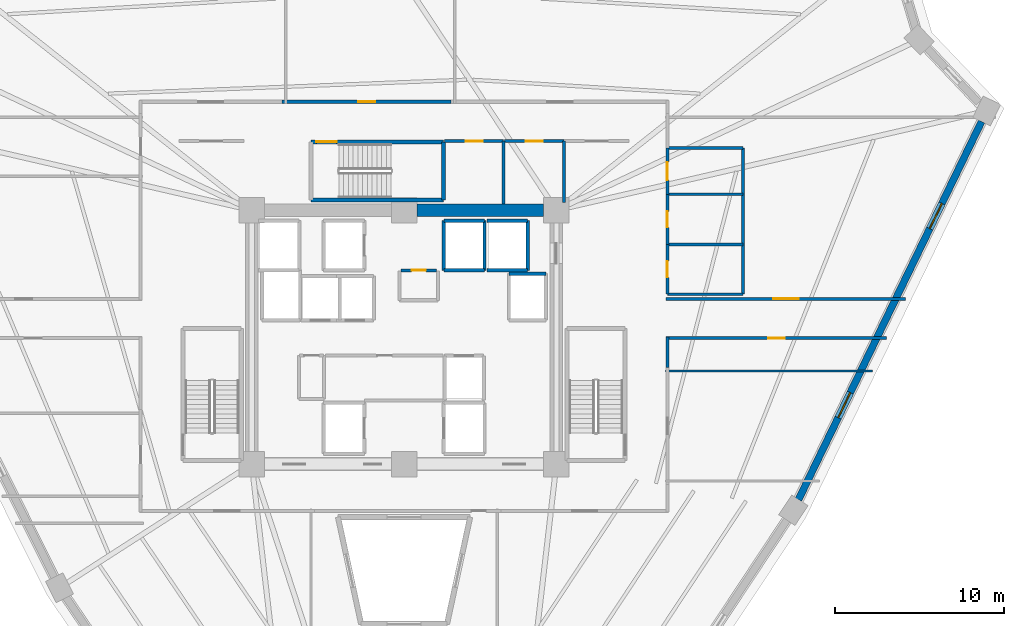
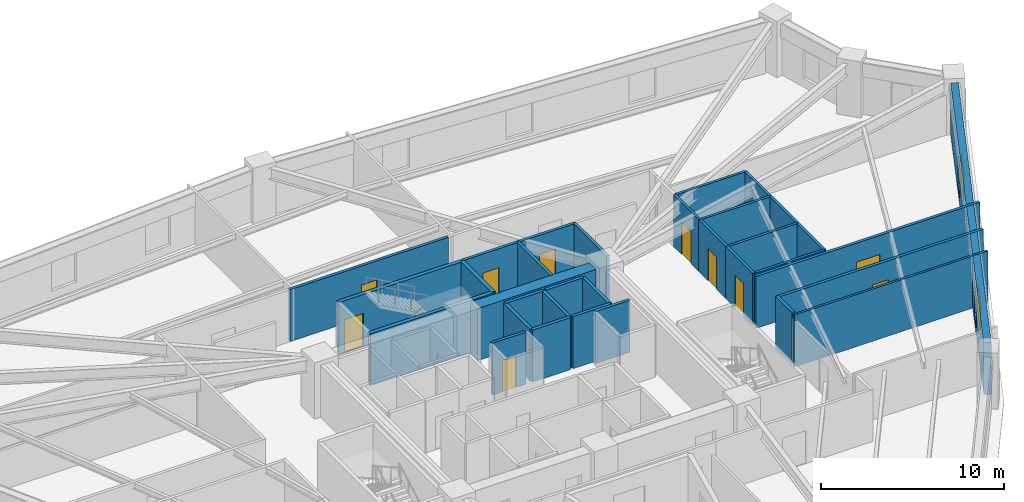
# One storey, part 6 of 8: 31 walls, 10 doors, 2 windows, 12 openings.
"""IFC4 building model written with IfcOpenShell, lengths in metres."""

from ifc_helpers import new_model, si_unit, direction, frame, frame_2d, origin, place, context, subcontext, project, spatial, rectangle, extrude, source, transform, mapped, material, layer, layer_set, type_object, element, fill, save


model = new_model("IFC4")

# Units and contexts
model_context = context("Model", 3, precision=1e-05, world=origin(), true_north=direction((0.0, 1.0)))
body_context = subcontext(model_context, "Body", "Model", "MODEL_VIEW")
ifc_project = project(units=[si_unit("LENGTHUNIT", "METRE"), si_unit("AREAUNIT", "SQUARE_METRE"), si_unit("VOLUMEUNIT", "CUBIC_METRE"), si_unit("PLANEANGLEUNIT", "RADIAN"), si_unit("MASSUNIT", "GRAM", prefix="KILO")], contexts=[model_context])

# Site, building, storey
site_placement = place(None, origin())
site = spatial("IfcSite", under=ifc_project, at=site_placement, CompositionType="ELEMENT")
building_placement = place(site_placement, origin())
building = spatial("IfcBuilding", under=site, at=building_placement, Name="Liaohun Quay Tower", CompositionType="ELEMENT")
storey_placement = place(building_placement, frame((0.0, 0.0, 181.5)))
storey = spatial("IfcBuildingStorey", under=building, at=storey_placement, Name="L47", CompositionType="ELEMENT", Elevation=181.5)

# Wall
ifc_material_1 = material(Name="Concrete C60", Category="concrete")
ifc_layer_1 = layer(ifc_material_1, 0.75, Name="Concrete C60", Category="concrete")
ifc_layer_set_1 = layer_set([ifc_layer_1], Name="Concrete C60")
wall_type_1 = type_object("IfcWallType", Name="WAL-COR-Z2", PredefinedType="SHEAR", material=ifc_layer_set_1)
wall_1_placement = place(storey_placement, frame((60.75, 61.5, 0.0), z_axis=(0.0, 0.0, 1.0), x_axis=(1.0, 0.0, 0.0)))
element("IfcWall", 1, at=wall_1_placement, inside=storey, type_object=wall_type_1, Name="L47 Central Core Shear Wall N-E", PredefinedType="SHEAR", context=body_context, shape_type="SweptSolid", body=[
    extrude(rectangle(XDim=7.5, YDim=0.75, at=frame_2d((3.75, 0.0))), origin(), (0.0, 0.0, 1.0), 3.469970703125),
])

# Wall, openings, windows
ifc_material_2 = material(Name="Precast concrete C50 insulated sandwich", Category="concrete")
ifc_layer_2 = layer(ifc_material_2, 0.419921875, Name="Precast concrete C50 insulated sandwich", Category="concrete")
ifc_layer_set_2 = layer_set([ifc_layer_2], Name="Precast concrete C50 insulated sandwich")
wall_type_2 = type_object("IfcWallType", Name="WAL-EXT-Z12", PredefinedType="SOLIDWALL", material=ifc_layer_set_2)
wall_2_placement = place(storey_placement, frame((83.302978515625, 44.39501953125, 0.0), z_axis=(0.0, 0.0, 1.0), x_axis=(0.435791696433, 0.90004755281, 0.0)))
wall_2 = element("IfcWall", 2, at=wall_2_placement, inside=storey, type_object=wall_type_2, Name="L47 Brutalist Precast Pier Wall 03", PredefinedType="SOLIDWALL", context=body_context, shape_type="SweptSolid", body=[
    extrude(rectangle(XDim=24.830810546875, YDim=0.419921875, at=frame_2d((12.41552734375, 0.0))), origin(), (0.0, 0.0, 1.0), 3.469970703125),
])
shared_shape_1 = source(origin(), body_context, "Body", "SweptSolid", [
    extrude(rectangle(XDim=1.64990234375, YDim=1.949951171875, at=frame_2d((0.824951171875, 0.97509765625))), frame((0.0, 0.219970703125, 0.0), z_axis=(0.0, -1.0, 0.0), x_axis=(1.0, 0.0, 0.0)), (0.0, 0.0, 1.0), 0.43994140625),
])
opening_1_placement = place(wall_2_placement, frame((5.383056640625, 0.0, 0.550048828125)))
opening_1 = element("IfcOpeningElement", 3, at=opening_1_placement, cuts=wall_2, Name="Opening W02", PredefinedType="OPENING", context=body_context, shape_type="MappedRepresentation", body=[
    mapped(shared_shape_1, transform((0.0, 0.0, 0.0), x_axis=(1.0, 0.0, 0.0), y_axis=(0.0, 1.0, 0.0), z_axis=(0.0, 0.0, 1.0), scale=1.0)),
])
opening_2_placement = place(wall_2_placement, frame((17.798095703125, 0.0, 0.550048828125)))
opening_2 = element("IfcOpeningElement", 4, at=opening_2_placement, cuts=wall_2, Name="Opening W02", PredefinedType="OPENING", context=body_context, shape_type="MappedRepresentation", body=[
    mapped(shared_shape_1, transform((0.0, 0.0, 0.0), x_axis=(1.0, 0.0, 0.0), y_axis=(0.0, 1.0, 0.0), z_axis=(0.0, 0.0, 1.0), scale=1.0)),
])
ifc_material_3 = material(Name="Triple Low-E argon glazing in thermally broken aluminium", Category="aluminium")
window_type = type_object("IfcWindowType", Name="WIN-PUN-Z2", PartitioningType="DOUBLE_PANEL_VERTICAL", PredefinedType="WINDOW", material=ifc_material_3)
shared_shape_2 = source(origin(), body_context, "Body", "SweptSolid", [
    extrude(rectangle(XDim=1.64990234375, YDim=1.949951171875, at=frame_2d((0.824951171875, 0.97509765625))), frame((0.0, 0.030029296875, 0.0), z_axis=(0.0, -1.0, 0.0), x_axis=(1.0, 0.0, 0.0)), (0.0, 0.0, 1.0), 0.06005859375),
])
window_1_placement = place(opening_1_placement, origin())
window_1 = element("IfcWindow", 5, at=window_1_placement, inside=storey, type_object=window_type, Name="L47 Recessed Cold-Climate Punched Window 03-1", OverallHeight=1.949951171875, OverallWidth=1.64990234375, PartitioningType="DOUBLE_PANEL_VERTICAL", PredefinedType="WINDOW", context=body_context, shape_type="MappedRepresentation", body=[
    mapped(shared_shape_2, transform((0.0, 0.0, 0.0), x_axis=(1.0, 0.0, 0.0), y_axis=(0.0, 1.0, 0.0), z_axis=(0.0, 0.0, 1.0), scale=1.0)),
])
fill(opening_1, window_1)
window_2_placement = place(opening_2_placement, origin())
window_2 = element("IfcWindow", 6, at=window_2_placement, inside=storey, type_object=window_type, Name="L47 Recessed Cold-Climate Punched Window 03-3", OverallHeight=1.949951171875, OverallWidth=1.64990234375, PartitioningType="DOUBLE_PANEL_VERTICAL", PredefinedType="WINDOW", context=body_context, shape_type="MappedRepresentation", body=[
    mapped(shared_shape_2, transform((0.0, 0.0, 0.0), x_axis=(1.0, 0.0, 0.0), y_axis=(0.0, 1.0, 0.0), z_axis=(0.0, 0.0, 1.0), scale=1.0)),
])
fill(opening_2, window_2)

# Wall, opening, door
ifc_material_4 = material(Name="Autoclaved aerated concrete blockwork", Category="masonry")
ifc_layer_3 = layer(ifc_material_4, 0.179931640625, Name="Autoclaved aerated concrete blockwork", Category="masonry")
ifc_layer_set_3 = layer_set([ifc_layer_3], Name="Autoclaved aerated concrete blockwork")
wall_type_3 = type_object("IfcWallType", Name="WAL-PRT-COR", PredefinedType="PARTITIONING", material=ifc_layer_set_3)
wall_3_placement = place(storey_placement, frame((59.81005859375, 57.949951171875, 0.0), z_axis=(0.0, 0.0, 1.0), x_axis=(1.0, 0.0, 0.0)))
wall_3 = element("IfcWall", 7, at=wall_3_placement, inside=storey, type_object=wall_type_3, Name="L47 Interior Partition Wall 002", PredefinedType="PARTITIONING", context=body_context, shape_type="SweptSolid", body=[
    extrude(rectangle(XDim=2.10986328125, YDim=0.179931640625, at=frame_2d((1.054931640625, 0.0))), origin(), (0.0, 0.0, 1.0), 3.469970703125),
])
shared_shape_3 = source(origin(), body_context, "Body", "SweptSolid", [
    extrude(rectangle(XDim=0.85009765625, YDim=2.10009765625, at=frame_2d((0.425048828125, 1.050048828125))), frame((0.0, 0.099853515625, 0.0), z_axis=(0.0, -1.0, 0.0), x_axis=(1.0, 0.0, 0.0)), (0.0, 0.0, 1.0), 0.199951171875),
])
opening_3_placement = place(wall_3_placement, frame((0.635009765625, 0.0, 0.0)))
opening_3 = element("IfcOpeningElement", 8, at=opening_3_placement, cuts=wall_3, Name="Opening AD1", PredefinedType="OPENING", context=body_context, shape_type="MappedRepresentation", body=[
    mapped(shared_shape_3, transform((0.0, 0.0, 0.0), x_axis=(1.0, 0.0, 0.0), y_axis=(0.0, 1.0, 0.0), z_axis=(0.0, 0.0, 1.0), scale=1.0)),
])
ifc_material_5 = material(Name="Steel riser inspection fire door", Category="steel")
door_type_1 = type_object("IfcDoorType", Name="DOR-SHF-850", OperationType="NOTDEFINED", PredefinedType="DOOR", material=ifc_material_5)
shared_shape_4 = source(origin(), body_context, "Body", "SweptSolid", [
    extrude(rectangle(XDim=0.85009765625, YDim=2.10009765625, at=frame_2d((0.425048828125, 1.050048828125))), frame((0.0, 0.02490234375, 0.0), z_axis=(0.0, -1.0, 0.0), x_axis=(1.0, 0.0, 0.0)), (0.0, 0.0, 1.0), 0.050048828125),
])
door_1_placement = place(opening_3_placement, origin())
door_1 = element("IfcDoor", 9, at=door_1_placement, inside=storey, type_object=door_type_1, Name="L47 Core Janitor and Cleaner Store Door", OperationType="SINGLE_SWING_RIGHT", OverallHeight=2.10009765625, OverallWidth=0.85009765625, PredefinedType="DOOR", context=body_context, shape_type="MappedRepresentation", body=[
    mapped(shared_shape_4, transform((0.0, 0.0, 0.0), x_axis=(1.0, 0.0, 0.0), y_axis=(0.0, 1.0, 0.0), z_axis=(0.0, 0.0, 1.0), scale=1.0)),
])
fill(opening_3, door_1)

wall_4_placement = place(storey_placement, frame((62.389892578125, 65.580078125, 0.0), z_axis=(0.0, 0.0, 1.0), x_axis=(1.0, 0.0, 0.0)))
wall_4 = element("IfcWall", 10, at=wall_4_placement, inside=storey, type_object=wall_type_3, Name="L47 Interior Partition Wall 007", PredefinedType="PARTITIONING", context=body_context, shape_type="SweptSolid", body=[
    extrude(rectangle(XDim=3.489990234375, YDim=0.179931640625, at=frame_2d((1.7451171875, 0.0))), origin(), (0.0, 0.0, 1.0), 3.469970703125),
])
shared_shape_5 = source(origin(), body_context, "Body", "SweptSolid", [
    extrude(rectangle(XDim=1.0, YDim=2.199951171875, at=frame_2d((0.5, 1.10009765625))), frame((0.0, 0.099853515625, 0.0), z_axis=(0.0, -1.0, 0.0), x_axis=(1.0, 0.0, 0.0)), (0.0, 0.0, 1.0), 0.199951171875),
])
opening_4_placement = place(wall_4_placement, frame((1.2451171875, 0.0, 0.0)))
opening_4 = element("IfcOpeningElement", 11, at=opening_4_placement, cuts=wall_4, Name="Opening OD1", PredefinedType="OPENING", context=body_context, shape_type="MappedRepresentation", body=[
    mapped(shared_shape_5, transform((0.0, 0.0, 0.0), x_axis=(1.0, 0.0, 0.0), y_axis=(0.0, 1.0, 0.0), z_axis=(0.0, 0.0, 1.0), scale=1.0)),
])
ifc_material_6 = material(Name="Solid-core oak veneer timber leaf in steel frame", Category="steel")
door_type_2 = type_object("IfcDoorType", Name="DOR-OFF-1000", OperationType="NOTDEFINED", PredefinedType="DOOR", material=ifc_material_6)
shared_shape_6 = source(origin(), body_context, "Body", "SweptSolid", [
    extrude(rectangle(XDim=1.0, YDim=2.199951171875, at=frame_2d((0.5, 1.10009765625))), frame((0.0, 0.02490234375, 0.0), z_axis=(0.0, -1.0, 0.0), x_axis=(1.0, 0.0, 0.0)), (0.0, 0.0, 1.0), 0.050048828125),
])
door_2_placement = place(opening_4_placement, origin())
door_2 = element("IfcDoor", 12, at=door_2_placement, inside=storey, type_object=door_type_2, Name="L47 North-East Archive Store Door", OperationType="SINGLE_SWING_LEFT", OverallHeight=2.199951171875, OverallWidth=1.0, PredefinedType="DOOR", context=body_context, shape_type="MappedRepresentation", body=[
    mapped(shared_shape_6, transform((0.0, 0.0, 0.0), x_axis=(1.0, 0.0, 0.0), y_axis=(0.0, 1.0, 0.0), z_axis=(0.0, 0.0, 1.0), scale=1.0)),
])
fill(opening_4, door_2)

wall_5_placement = place(storey_placement, frame((65.919921875, 65.580078125, 0.0), z_axis=(0.0, 0.0, 1.0), x_axis=(1.0, 0.0, 0.0)))
wall_5 = element("IfcWall", 13, at=wall_5_placement, inside=storey, type_object=wall_type_3, Name="L47 Interior Partition Wall 008", PredefinedType="PARTITIONING", context=body_context, shape_type="SweptSolid", body=[
    extrude(rectangle(XDim=3.5400390625, YDim=0.179931640625, at=frame_2d((1.77001953125, 0.0))), origin(), (0.0, 0.0, 1.0), 3.469970703125),
])
opening_5_placement = place(wall_5_placement, frame((1.27001953125, 0.0, 0.0)))
opening_5 = element("IfcOpeningElement", 14, at=opening_5_placement, cuts=wall_5, Name="Opening OD1", PredefinedType="OPENING", context=body_context, shape_type="MappedRepresentation", body=[
    mapped(shared_shape_5, transform((0.0, 0.0, 0.0), x_axis=(1.0, 0.0, 0.0), y_axis=(0.0, 1.0, 0.0), z_axis=(0.0, 0.0, 1.0), scale=1.0)),
])
door_3_placement = place(opening_5_placement, origin())
door_3 = element("IfcDoor", 15, at=door_3_placement, inside=storey, type_object=door_type_2, Name="L47 North-East Pantry Room Door", OperationType="SINGLE_SWING_RIGHT", OverallHeight=2.199951171875, OverallWidth=1.0, PredefinedType="DOOR", context=body_context, shape_type="MappedRepresentation", body=[
    mapped(shared_shape_6, transform((0.0, 0.0, 0.0), x_axis=(1.0, 0.0, 0.0), y_axis=(0.0, 1.0, 0.0), z_axis=(0.0, 0.0, 1.0), scale=1.0)),
])
fill(opening_5, door_3)

wall_6_placement = place(storey_placement, frame((75.489990234375, 56.260009765625, 0.0), z_axis=(0.0, 0.0, 1.0), x_axis=(1.0, 0.0, 0.0)))
wall_6 = element("IfcWall", 16, at=wall_6_placement, inside=storey, type_object=wall_type_3, Name="L47 Interior Partition Wall 011", PredefinedType="PARTITIONING", context=body_context, shape_type="SweptSolid", body=[
    extrude(rectangle(XDim=14.14990234375, YDim=0.179931640625, at=frame_2d((7.074951171875, 0.0))), origin(), (0.0, 0.0, 1.0), 3.469970703125),
])
shared_shape_7 = source(origin(), body_context, "Body", "SweptSolid", [
    extrude(rectangle(XDim=1.5, YDim=2.199951171875, at=frame_2d((0.75, 1.10009765625))), frame((0.0, 0.099853515625, 0.0), z_axis=(0.0, -1.0, 0.0), x_axis=(1.0, 0.0, 0.0)), (0.0, 0.0, 1.0), 0.199951171875),
])
opening_6_placement = place(wall_6_placement, frame((6.324951171875, 0.0, 0.0)))
opening_6 = element("IfcOpeningElement", 17, at=opening_6_placement, cuts=wall_6, Name="Opening OD2", PredefinedType="OPENING", context=body_context, shape_type="MappedRepresentation", body=[
    mapped(shared_shape_7, transform((0.0, 0.0, 0.0), x_axis=(1.0, 0.0, 0.0), y_axis=(0.0, 1.0, 0.0), z_axis=(0.0, 0.0, 1.0), scale=1.0)),
])
ifc_material_7 = material(Name="Acoustic oak veneer double door")
door_type_3 = type_object("IfcDoorType", Name="DOR-OFF-1500", OperationType="DOUBLE_DOOR_SINGLE_SWING", PredefinedType="DOOR", material=ifc_material_7)
shared_shape_8 = source(origin(), body_context, "Body", "SweptSolid", [
    extrude(rectangle(XDim=1.5, YDim=2.199951171875, at=frame_2d((0.75, 1.10009765625))), frame((0.0, 0.02490234375, 0.0), z_axis=(0.0, -1.0, 0.0), x_axis=(1.0, 0.0, 0.0)), (0.0, 0.0, 1.0), 0.050048828125),
])
door_4_placement = place(opening_6_placement, origin())
door_4 = element("IfcDoor", 18, at=door_4_placement, inside=storey, type_object=door_type_3, Name="L47 Staff Daycare Nursery 01 Door", OperationType="DOUBLE_DOOR_SINGLE_SWING", OverallHeight=2.199951171875, OverallWidth=1.5, PredefinedType="DOOR", context=body_context, shape_type="MappedRepresentation", body=[
    mapped(shared_shape_8, transform((0.0, 0.0, 0.0), x_axis=(1.0, 0.0, 0.0), y_axis=(0.0, 1.0, 0.0), z_axis=(0.0, 0.0, 1.0), scale=1.0)),
])
fill(opening_6, door_4)

wall_7_placement = place(storey_placement, frame((52.784912109375, 67.909912109375, 0.0), z_axis=(0.0, 0.0, 1.0), x_axis=(1.0, 0.0, 0.0)))
wall_7 = element("IfcWall", 19, at=wall_7_placement, inside=storey, type_object=wall_type_3, Name="L47 Interior Partition Wall 013", PredefinedType="PARTITIONING", context=body_context, shape_type="SweptSolid", body=[
    extrude(rectangle(XDim=10.0, YDim=0.179931640625, at=frame_2d((5.0, 0.0))), origin(), (0.0, 0.0, 1.0), 3.469970703125),
])
opening_7_placement = place(wall_7_placement, frame((4.5, 0.0, 0.0)))
opening_7 = element("IfcOpeningElement", 20, at=opening_7_placement, cuts=wall_7, Name="Opening OD1", PredefinedType="OPENING", context=body_context, shape_type="MappedRepresentation", body=[
    mapped(shared_shape_5, transform((0.0, 0.0, 0.0), x_axis=(1.0, 0.0, 0.0), y_axis=(0.0, 1.0, 0.0), z_axis=(0.0, 0.0, 1.0), scale=1.0)),
])
door_5_placement = place(opening_7_placement, origin())
door_5 = element("IfcDoor", 21, at=door_5_placement, inside=storey, type_object=door_type_2, Name="L47 Staff Daycare Nursery 03 Door", OperationType="SINGLE_SWING_LEFT", OverallHeight=2.199951171875, OverallWidth=1.0, PredefinedType="DOOR", context=body_context, shape_type="MappedRepresentation", body=[
    mapped(shared_shape_6, transform((0.0, 0.0, 0.0), x_axis=(1.0, 0.0, 0.0), y_axis=(0.0, 1.0, 0.0), z_axis=(0.0, 0.0, 1.0), scale=1.0)),
])
fill(opening_7, door_5)

wall_8_placement = place(storey_placement, frame((88.51708984375, 53.93994140625, 0.0), z_axis=(0.0, 0.0, 1.0), x_axis=(-1.0, 0.0, 0.0)))
wall_8 = element("IfcWall", 22, at=wall_8_placement, inside=storey, type_object=wall_type_3, Name="L47 Interior Partition Wall 023", PredefinedType="PARTITIONING", context=body_context, shape_type="SweptSolid", body=[
    extrude(rectangle(XDim=13.027099609375, YDim=0.179931640625, at=frame_2d((6.513671875, 0.0))), origin(), (0.0, 0.0, 1.0), 3.469970703125),
])
opening_8_placement = place(wall_8_placement, frame((6.013916015625, 0.0, 0.0)))
opening_8 = element("IfcOpeningElement", 23, at=opening_8_placement, cuts=wall_8, Name="Opening OD1", PredefinedType="OPENING", context=body_context, shape_type="MappedRepresentation", body=[
    mapped(shared_shape_5, transform((0.0, 0.0, 0.0), x_axis=(1.0, 0.0, 0.0), y_axis=(0.0, 1.0, 0.0), z_axis=(0.0, 0.0, 1.0), scale=1.0)),
])
door_6_placement = place(opening_8_placement, origin())
door_6 = element("IfcDoor", 24, at=door_6_placement, inside=storey, type_object=door_type_2, Name="L47 Regional Advisory Office 13 Door", OperationType="SINGLE_SWING_LEFT", OverallHeight=2.199951171875, OverallWidth=1.0, PredefinedType="DOOR", context=body_context, shape_type="MappedRepresentation", body=[
    mapped(shared_shape_6, transform((0.0, 0.0, 0.0), x_axis=(1.0, 0.0, 0.0), y_axis=(0.0, 1.0, 0.0), z_axis=(0.0, 0.0, 1.0), scale=1.0)),
])
fill(opening_8, door_6)

# Walls
wall_9_placement = place(storey_placement, frame((65.8798828125, 61.875, 0.0), z_axis=(0.0, 0.0, 1.0), x_axis=(0.0, 1.0, 0.0)))
element("IfcWall", 25, at=wall_9_placement, inside=storey, type_object=wall_type_3, Name="L47 Interior Partition Wall 035", PredefinedType="PARTITIONING", context=body_context, shape_type="SweptSolid", body=[
    extrude(rectangle(XDim=3.705078125, YDim=0.179931640625, at=frame_2d((1.8525390625, 0.0))), origin(), (0.0, 0.0, 1.0), 3.469970703125),
])
wall_10_placement = place(storey_placement, frame((69.4599609375, 61.949951171875, 0.0), z_axis=(0.0, 0.0, 1.0), x_axis=(0.0, 1.0, 0.0)))
element("IfcWall", 26, at=wall_10_placement, inside=storey, type_object=wall_type_3, Name="L47 Interior Partition Wall 036", PredefinedType="PARTITIONING", context=body_context, shape_type="SweptSolid", body=[
    extrude(rectangle(XDim=3.630126953125, YDim=0.179931640625, at=frame_2d((1.81494140625, 0.0))), origin(), (0.0, 0.0, 1.0), 3.469970703125),
])
wall_11_placement = place(storey_placement, frame((75.56005859375, 54.010009765625, 0.0), z_axis=(0.0, 0.0, 1.0), x_axis=(0.0, -1.0, 0.0)))
element("IfcWall", 27, at=wall_11_placement, inside=storey, type_object=wall_type_3, Name="L47 Interior Partition Wall 044", PredefinedType="PARTITIONING", context=body_context, shape_type="SweptSolid", body=[
    extrude(rectangle(XDim=1.794921875, YDim=0.179931640625, at=frame_2d((0.8974609375, 0.0))), origin(), (0.0, 0.0, 1.0), 3.469970703125),
])
ifc_material_8 = material(Name="Gypsum board on twin steel studs", Category="steel")
ifc_layer_4 = layer(ifc_material_8, 0.139892578125, Name="Gypsum board on twin steel studs", Category="steel")
ifc_layer_set_4 = layer_set([ifc_layer_4], Name="Gypsum board on twin steel studs")
wall_type_4 = type_object("IfcWallType", Name="WAL-PRT-OFF", PredefinedType="PARTITIONING", material=ifc_layer_set_4)
wall_12_placement = place(storey_placement, frame((75.4599609375, 52.0, 0.0), z_axis=(0.0, 0.0, 1.0), x_axis=(1.0, 0.0, 0.0)))
element("IfcWall", 28, at=wall_12_placement, inside=storey, type_object=wall_type_4, Name="L47 Interior Partition Wall 051", PredefinedType="PARTITIONING", context=body_context, shape_type="SweptSolid", body=[
    extrude(rectangle(XDim=12.22509765625, YDim=0.139892578125, at=frame_2d((6.112548828125, 0.0))), origin(), (0.0, 0.0, 1.0), 3.469970703125),
])

# Wall, opening, door
ifc_material_9 = material(Name="Moisture-resistant masonry blockwork", Category="masonry")
ifc_layer_5 = layer(ifc_material_9, 0.159912109375, Name="Moisture-resistant masonry blockwork", Category="masonry")
ifc_layer_set_5 = layer_set([ifc_layer_5], Name="Moisture-resistant masonry blockwork")
wall_type_5 = type_object("IfcWallType", Name="WAL-PRT-WET", PredefinedType="PARTITIONING", material=ifc_layer_set_5)
wall_13_placement = place(storey_placement, frame((75.56005859375, 56.5400390625, 0.0), z_axis=(0.0, 0.0, 1.0), x_axis=(0.0, 1.0, 0.0)))
wall_13 = element("IfcWall", 29, at=wall_13_placement, inside=storey, type_object=wall_type_5, Name="L47 Interior Partition Wall 004", PredefinedType="PARTITIONING", context=body_context, shape_type="SweptSolid", body=[
    extrude(rectangle(XDim=2.93994140625, YDim=0.159912109375, at=frame_2d((1.469970703125, 0.0))), origin(), (0.0, 0.0, 1.0), 3.469970703125),
])
shared_shape_9 = source(origin(), body_context, "Body", "SweptSolid", [
    extrude(rectangle(XDim=0.949951171875, YDim=2.14990234375, at=frame_2d((0.47509765625, 1.074951171875))), frame((0.0, 0.08984375, 0.0), z_axis=(0.0, -1.0, 0.0), x_axis=(1.0, 0.0, 0.0)), (0.0, 0.0, 1.0), 0.179931640625),
])
opening_9_placement = place(wall_13_placement, frame((0.9951171875, 0.0, 0.0)))
opening_9 = element("IfcOpeningElement", 30, at=opening_9_placement, cuts=wall_13, Name="Opening WD1", PredefinedType="OPENING", context=body_context, shape_type="MappedRepresentation", body=[
    mapped(shared_shape_9, transform((0.0, 0.0, 0.0), x_axis=(1.0, 0.0, 0.0), y_axis=(0.0, 1.0, 0.0), z_axis=(0.0, 0.0, 1.0), scale=1.0)),
])
ifc_material_10 = material(Name="Moisture-resistant laminate timber leaf", Category="wood")
door_type_4 = type_object("IfcDoorType", Name="DOR-WC-950", OperationType="NOTDEFINED", PredefinedType="DOOR", material=ifc_material_10)
shared_shape_10 = source(origin(), body_context, "Body", "SweptSolid", [
    extrude(rectangle(XDim=0.949951171875, YDim=2.14990234375, at=frame_2d((0.47509765625, 1.074951171875))), frame((0.0, 0.02490234375, 0.0), z_axis=(0.0, -1.0, 0.0), x_axis=(1.0, 0.0, 0.0)), (0.0, 0.0, 1.0), 0.050048828125),
])
door_7_placement = place(opening_9_placement, origin())
door_7 = element("IfcDoor", 31, at=door_7_placement, inside=storey, type_object=door_type_4, Name="L47 Male Restroom WC Door", OperationType="SINGLE_SWING_RIGHT", OverallHeight=2.14990234375, OverallWidth=0.949951171875, PredefinedType="DOOR", context=body_context, shape_type="MappedRepresentation", body=[
    mapped(shared_shape_10, transform((0.0, 0.0, 0.0), x_axis=(1.0, 0.0, 0.0), y_axis=(0.0, 1.0, 0.0), z_axis=(0.0, 0.0, 1.0), scale=1.0)),
])
fill(opening_9, door_7)

wall_14_placement = place(storey_placement, frame((75.56005859375, 59.47998046875, 0.0), z_axis=(0.0, 0.0, 1.0), x_axis=(0.0, 1.0, 0.0)))
wall_14 = element("IfcWall", 32, at=wall_14_placement, inside=storey, type_object=wall_type_5, Name="L47 Interior Partition Wall 005", PredefinedType="PARTITIONING", context=body_context, shape_type="SweptSolid", body=[
    extrude(rectangle(XDim=2.9599609375, YDim=0.159912109375, at=frame_2d((1.47998046875, 0.0))), origin(), (0.0, 0.0, 1.0), 3.469970703125),
])
opening_10_placement = place(wall_14_placement, frame((1.0048828125, 0.0, 0.0)))
opening_10 = element("IfcOpeningElement", 33, at=opening_10_placement, cuts=wall_14, Name="Opening WD1", PredefinedType="OPENING", context=body_context, shape_type="MappedRepresentation", body=[
    mapped(shared_shape_9, transform((0.0, 0.0, 0.0), x_axis=(1.0, 0.0, 0.0), y_axis=(0.0, 1.0, 0.0), z_axis=(0.0, 0.0, 1.0), scale=1.0)),
])
door_8_placement = place(opening_10_placement, origin())
door_8 = element("IfcDoor", 34, at=door_8_placement, inside=storey, type_object=door_type_4, Name="L47 Female Restroom WC Door", OperationType="SINGLE_SWING_LEFT", OverallHeight=2.14990234375, OverallWidth=0.949951171875, PredefinedType="DOOR", context=body_context, shape_type="MappedRepresentation", body=[
    mapped(shared_shape_10, transform((0.0, 0.0, 0.0), x_axis=(1.0, 0.0, 0.0), y_axis=(0.0, 1.0, 0.0), z_axis=(0.0, 0.0, 1.0), scale=1.0)),
])
fill(opening_10, door_8)

wall_15_placement = place(storey_placement, frame((75.56005859375, 62.43994140625, 0.0), z_axis=(0.0, 0.0, 1.0), x_axis=(0.0, 1.0, 0.0)))
wall_15 = element("IfcWall", 35, at=wall_15_placement, inside=storey, type_object=wall_type_5, Name="L47 Interior Partition Wall 006", PredefinedType="PARTITIONING", context=body_context, shape_type="SweptSolid", body=[
    extrude(rectangle(XDim=2.739990234375, YDim=0.159912109375, at=frame_2d((1.3701171875, 0.0))), origin(), (0.0, 0.0, 1.0), 3.469970703125),
])
shared_shape_11 = source(origin(), body_context, "Body", "SweptSolid", [
    extrude(rectangle(XDim=1.050048828125, YDim=2.14990234375, at=frame_2d((0.52490234375, 1.074951171875))), frame((0.0, 0.08984375, 0.0), z_axis=(0.0, -1.0, 0.0), x_axis=(1.0, 0.0, 0.0)), (0.0, 0.0, 1.0), 0.179931640625),
])
opening_11_placement = place(wall_15_placement, frame((0.844970703125, 0.0, 0.0)))
opening_11 = element("IfcOpeningElement", 36, at=opening_11_placement, cuts=wall_15, Name="Opening WD2", PredefinedType="OPENING", context=body_context, shape_type="MappedRepresentation", body=[
    mapped(shared_shape_11, transform((0.0, 0.0, 0.0), x_axis=(1.0, 0.0, 0.0), y_axis=(0.0, 1.0, 0.0), z_axis=(0.0, 0.0, 1.0), scale=1.0)),
])
ifc_material_11 = material(Name="Accessible outward-swinging laminate door")
door_type_5 = type_object("IfcDoorType", Name="DOR-AWC-1050", OperationType="NOTDEFINED", PredefinedType="DOOR", material=ifc_material_11)
shared_shape_12 = source(origin(), body_context, "Body", "SweptSolid", [
    extrude(rectangle(XDim=1.050048828125, YDim=2.14990234375, at=frame_2d((0.52490234375, 1.074951171875))), frame((0.0, 0.02490234375, 0.0), z_axis=(0.0, -1.0, 0.0), x_axis=(1.0, 0.0, 0.0)), (0.0, 0.0, 1.0), 0.050048828125),
])
door_9_placement = place(opening_11_placement, origin())
door_9 = element("IfcDoor", 37, at=door_9_placement, inside=storey, type_object=door_type_5, Name="L47 Accessible WC Door", OperationType="SINGLE_SWING_RIGHT", OverallHeight=2.14990234375, OverallWidth=1.050048828125, PredefinedType="DOOR", context=body_context, shape_type="MappedRepresentation", body=[
    mapped(shared_shape_12, transform((0.0, 0.0, 0.0), x_axis=(1.0, 0.0, 0.0), y_axis=(0.0, 1.0, 0.0), z_axis=(0.0, 0.0, 1.0), scale=1.0)),
])
fill(opening_11, door_9)

# Walls
wall_16_placement = place(storey_placement, frame((80.02001953125, 56.5400390625, 0.0), z_axis=(0.0, 0.0, 1.0), x_axis=(0.0, 1.0, 0.0)))
element("IfcWall", 38, at=wall_16_placement, inside=storey, type_object=wall_type_5, Name="L47 Interior Partition Wall 030", PredefinedType="PARTITIONING", context=body_context, shape_type="SweptSolid", body=[
    extrude(rectangle(XDim=8.639892578125, YDim=0.159912109375, at=frame_2d((4.31982421875, 0.0))), origin(), (0.0, 0.0, 1.0), 3.469970703125),
])
for number, where, z_axis, x_axis, name in (
    (39, (75.56005859375, 56.5400390625, 0.0), (0.0, 0.0, 1.0), (1.0, 0.0, 0.0), "L47 Interior Partition Wall 031"),
    (40, (75.56005859375, 59.47998046875, 0.0), (0.0, 0.0, 1.0), (1.0, 0.0, 0.0), "L47 Interior Partition Wall 032"),
    (41, (75.56005859375, 62.43994140625, 0.0), (0.0, 0.0, 1.0), (1.0, 0.0, 0.0), "L47 Interior Partition Wall 033"),
    (42, (75.56005859375, 65.179931640625, 0.0), (0.0, 0.0, 1.0), (1.0, 0.0, 0.0), "L47 Interior Partition Wall 034"),
):
    element("IfcWall", number, at=place(storey_placement, frame(where, z_axis=z_axis, x_axis=x_axis)), inside=storey, type_object=wall_type_5, Name=name, PredefinedType="PARTITIONING", context=body_context, shape_type="SweptSolid", body=[
        extrude(rectangle(XDim=4.4599609375, YDim=0.159912109375, at=frame_2d((2.22998046875, 0.0))), origin(), (0.0, 0.0, 1.0), 3.469970703125),
    ])
ifc_material_12 = material(Name="Concrete C50", Category="concrete")
ifc_layer_6 = layer(ifc_material_12, 0.239990234375, Name="Concrete C50", Category="concrete")
ifc_layer_set_6 = layer_set([ifc_layer_6], Name="Concrete C50")
wall_type_6 = type_object("IfcWallType", Name="WAL-SHF-200", PredefinedType="SOLIDWALL", material=ifc_layer_set_6)
wall_17_placement = place(storey_placement, frame((54.5, 62.10009765625, 0.0), z_axis=(0.0, 0.0, 1.0), x_axis=(1.0, 0.0, 0.0)))
element("IfcWall", 43, at=wall_17_placement, inside=storey, type_object=wall_type_6, Name="L47 Stairwell ST-3 Structural Core Wall S", PredefinedType="SOLIDWALL", context=body_context, shape_type="SweptSolid", body=[
    extrude(rectangle(XDim=7.820068359375, YDim=0.239990234375, at=frame_2d((3.91015625, 0.0))), origin(), (0.0, 0.0, 1.0), 3.469970703125),
])
wall_18_placement = place(storey_placement, frame((62.320068359375, 62.10009765625, 0.0), z_axis=(0.0, 0.0, 1.0), x_axis=(0.0, 1.0, 0.0)))
element("IfcWall", 44, at=wall_18_placement, inside=storey, type_object=wall_type_6, Name="L47 Stairwell ST-3 Structural Core Wall E", PredefinedType="SOLIDWALL", context=body_context, shape_type="SweptSolid", body=[
    extrude(rectangle(XDim=3.43994140625, YDim=0.239990234375, at=frame_2d((1.719970703125, 0.0))), origin(), (0.0, 0.0, 1.0), 3.469970703125),
])

# Wall, opening, door
wall_19_placement = place(storey_placement, frame((62.320068359375, 65.5400390625, 0.0), z_axis=(0.0, 0.0, 1.0), x_axis=(-1.0, 0.0, 0.0)))
wall_19 = element("IfcWall", 45, at=wall_19_placement, inside=storey, type_object=wall_type_6, Name="L47 Stairwell ST-3 Structural Core Wall N", PredefinedType="SOLIDWALL", context=body_context, shape_type="SweptSolid", body=[
    extrude(rectangle(XDim=7.820068359375, YDim=0.239990234375, at=frame_2d((3.91015625, 0.0))), origin(), (0.0, 0.0, 1.0), 3.469970703125),
])
shared_shape_13 = source(origin(), body_context, "Body", "SweptSolid", [
    extrude(rectangle(XDim=1.199951171875, YDim=2.199951171875, at=frame_2d((0.60009765625, 1.10009765625))), frame((0.0, 0.1298828125, 0.0), z_axis=(0.0, -1.0, 0.0), x_axis=(1.0, 0.0, 0.0)), (0.0, 0.0, 1.0), 0.260009765625),
])
opening_12_placement = place(wall_19_placement, frame((6.300048828125, 0.0, 0.0)))
opening_12 = element("IfcOpeningElement", 46, at=opening_12_placement, cuts=wall_19, Name="Opening SD1", PredefinedType="OPENING", context=body_context, shape_type="MappedRepresentation", body=[
    mapped(shared_shape_13, transform((0.0, 0.0, 0.0), x_axis=(1.0, 0.0, 0.0), y_axis=(0.0, 1.0, 0.0), z_axis=(0.0, 0.0, 1.0), scale=1.0)),
])
ifc_material_13 = material(Name="Galvanised steel fire door", Category="steel")
door_type_6 = type_object("IfcDoorType", Name="DOR-STR-1200", OperationType="NOTDEFINED", PredefinedType="DOOR", material=ifc_material_13)
shared_shape_14 = source(origin(), body_context, "Body", "SweptSolid", [
    extrude(rectangle(XDim=1.199951171875, YDim=2.199951171875, at=frame_2d((0.60009765625, 1.10009765625))), frame((0.0, 0.02490234375, 0.0), z_axis=(0.0, -1.0, 0.0), x_axis=(1.0, 0.0, 0.0)), (0.0, 0.0, 1.0), 0.050048828125),
])
door_10_placement = place(opening_12_placement, origin())
door_10 = element("IfcDoor", 47, at=door_10_placement, inside=storey, type_object=door_type_6, Name="L47 Protected Stair ST-3 Fire Door", OperationType="SINGLE_SWING_RIGHT", OverallHeight=2.199951171875, OverallWidth=1.199951171875, PredefinedType="DOOR", context=body_context, shape_type="MappedRepresentation", body=[
    mapped(shared_shape_14, transform((0.0, 0.0, 0.0), x_axis=(1.0, 0.0, 0.0), y_axis=(0.0, 1.0, 0.0), z_axis=(0.0, 0.0, 1.0), scale=1.0)),
])
fill(opening_12, door_10)

# Walls
wall_20_placement = place(storey_placement, frame((62.35009765625, 57.949951171875, 0.0), z_axis=(0.0, 0.0, 1.0), x_axis=(1.0, 0.0, 0.0)))
element("IfcWall", 48, at=wall_20_placement, inside=storey, type_object=wall_type_6, Name="L47 Lift OB-01 Hoistway Wall S", PredefinedType="SOLIDWALL", context=body_context, shape_type="SweptSolid", body=[
    extrude(rectangle(XDim=2.39990234375, YDim=0.199951171875, at=frame_2d((1.199951171875, 0.0))), origin(), (0.0, 0.0, 1.0), 3.469970703125),
])
wall_21_placement = place(storey_placement, frame((64.75, 57.949951171875, 0.0), z_axis=(0.0, 0.0, 1.0), x_axis=(0.0, 1.0, 0.0)))
element("IfcWall", 49, at=wall_21_placement, inside=storey, type_object=wall_type_6, Name="L47 Lift OB-01 Hoistway Wall E", PredefinedType="SOLIDWALL", context=body_context, shape_type="SweptSolid", body=[
    extrude(rectangle(XDim=2.929931640625, YDim=0.199951171875, at=frame_2d((1.46484375, 0.0))), origin(), (0.0, 0.0, 1.0), 3.469970703125),
])
wall_22_placement = place(storey_placement, frame((64.75, 60.8798828125, 0.0), z_axis=(0.0, 0.0, 1.0), x_axis=(-1.0, 0.0, 0.0)))
element("IfcWall", 50, at=wall_22_placement, inside=storey, type_object=wall_type_6, Name="L47 Lift OB-01 Hoistway Wall N", PredefinedType="SOLIDWALL", context=body_context, shape_type="SweptSolid", body=[
    extrude(rectangle(XDim=2.39990234375, YDim=0.199951171875, at=frame_2d((1.199951171875, 0.0))), origin(), (0.0, 0.0, 1.0), 3.469970703125),
])
wall_23_placement = place(storey_placement, frame((62.35009765625, 60.8798828125, 0.0), z_axis=(0.0, 0.0, 1.0), x_axis=(0.0, -1.0, 0.0)))
element("IfcWall", 51, at=wall_23_placement, inside=storey, type_object=wall_type_6, Name="L47 Lift OB-01 Hoistway Wall W", PredefinedType="SOLIDWALL", context=body_context, shape_type="SweptSolid", body=[
    extrude(rectangle(XDim=2.929931640625, YDim=0.199951171875, at=frame_2d((1.46484375, 0.0))), origin(), (0.0, 0.0, 1.0), 3.469970703125),
])
wall_24_placement = place(storey_placement, frame((64.89990234375, 57.949951171875, 0.0), z_axis=(0.0, 0.0, 1.0), x_axis=(1.0, 0.0, 0.0)))
element("IfcWall", 52, at=wall_24_placement, inside=storey, type_object=wall_type_6, Name="L47 Lift OB-02 Hoistway Wall S", PredefinedType="SOLIDWALL", context=body_context, shape_type="SweptSolid", body=[
    extrude(rectangle(XDim=2.400146484375, YDim=0.199951171875, at=frame_2d((1.2001953125, 0.0))), origin(), (0.0, 0.0, 1.0), 3.469970703125),
])
wall_25_placement = place(storey_placement, frame((67.300048828125, 57.949951171875, 0.0), z_axis=(0.0, 0.0, 1.0), x_axis=(0.0, 1.0, 0.0)))
element("IfcWall", 53, at=wall_25_placement, inside=storey, type_object=wall_type_6, Name="L47 Lift OB-02 Hoistway Wall E", PredefinedType="SOLIDWALL", context=body_context, shape_type="SweptSolid", body=[
    extrude(rectangle(XDim=2.929931640625, YDim=0.199951171875, at=frame_2d((1.46484375, 0.0))), origin(), (0.0, 0.0, 1.0), 3.469970703125),
])
wall_26_placement = place(storey_placement, frame((67.300048828125, 60.8798828125, 0.0), z_axis=(0.0, 0.0, 1.0), x_axis=(-1.0, 0.0, 0.0)))
element("IfcWall", 54, at=wall_26_placement, inside=storey, type_object=wall_type_6, Name="L47 Lift OB-02 Hoistway Wall N", PredefinedType="SOLIDWALL", context=body_context, shape_type="SweptSolid", body=[
    extrude(rectangle(XDim=2.400146484375, YDim=0.199951171875, at=frame_2d((1.2001953125, 0.0))), origin(), (0.0, 0.0, 1.0), 3.469970703125),
])
wall_27_placement = place(storey_placement, frame((68.3798828125, 57.75, 0.0), z_axis=(0.0, 0.0, 1.0), x_axis=(-1.0, 0.0, 0.0)))
element("IfcWall", 55, at=wall_27_placement, inside=storey, type_object=wall_type_6, Name="L47 Lift SH-03 Hoistway Wall N", PredefinedType="SOLIDWALL", context=body_context, shape_type="SweptSolid", body=[
    extrude(rectangle(XDim=2.179931640625, YDim=0.199951171875, at=frame_2d((1.08984375, 0.0))), origin(), (0.0, 0.0, 1.0), 3.469970703125),
])

save(model, "model.ifc")
